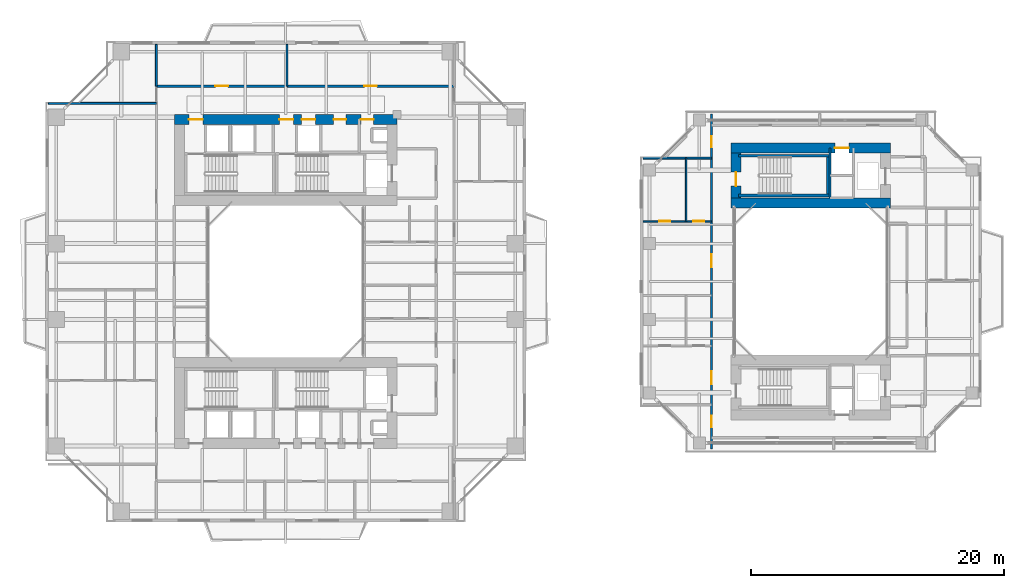
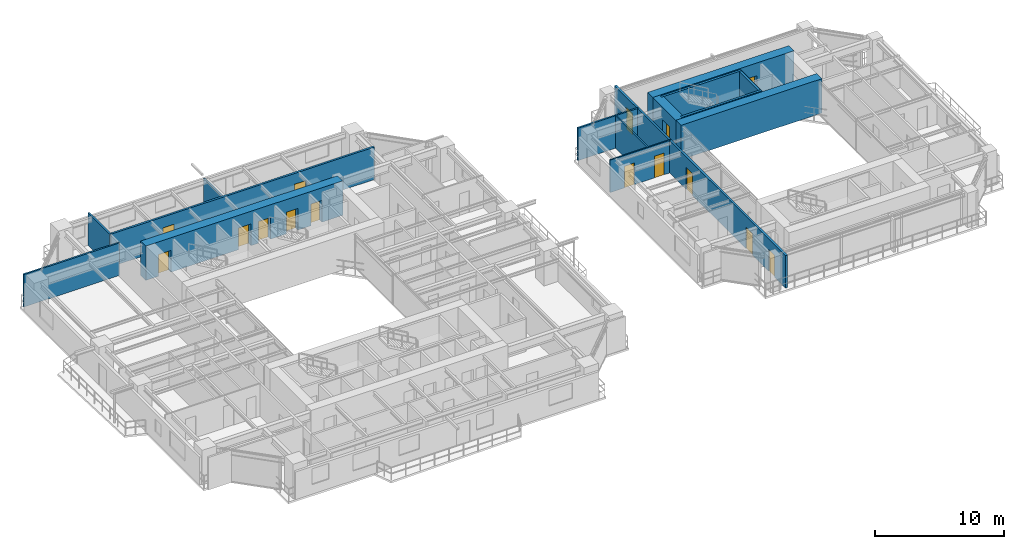
# One storey, part 16 of 23: 16 walls, 15 doors, 15 openings.
"""IFC4 building model written with IfcOpenShell, lengths in metres."""

import ifcopenshell
import ifcopenshell.guid

model = None  # the IFC model being written
_history = None  # IfcOwnerHistory: only IFC2X3 demands one
_inside = {}  # id of a spatial element -> (the spatial element, [elements in it])
_under = {}  # id of a project, library or spatial element -> (it, [spatial elements below it])
_declared = {}  # id of a project -> (the project, [libraries it declares])
_typed = {}  # id of a type object -> (the type object, [elements of that type])
_made_of = {}  # id of a material, layer set ... -> (it, [elements and type objects made of it])


def new_model(schema):
    """Start an empty IFC model of exactly this schema.

    Asked for "IFC4X3", IfcOpenShell would pick the latest addendum, in which some entities
    have other attributes; the version numbers below select the first issue.
    IFC2X3 requires an IfcOwnerHistory on every rooted entity: one is made here for all.
    """
    global model, _history
    if schema == "IFC4X3":
        model = ifcopenshell.file(schema_version=(4, 3, 0, 0))
    else:
        model = ifcopenshell.file(schema=schema)
    _inside.clear()
    _under.clear()
    _declared.clear()
    _typed.clear()
    _made_of.clear()
    _history = None
    if model.schema == "IFC2X3":
        org = make("IfcOrganization", Name="unknown")
        user = make(
            "IfcPersonAndOrganization",
            ThePerson=make("IfcPerson", FamilyName="unknown"),
            TheOrganization=org,
        )
        app = make(
            "IfcApplication",
            ApplicationDeveloper=org,
            Version="unknown",
            ApplicationFullName="unknown",
            ApplicationIdentifier="unknown",
        )
        _history = make(
            "IfcOwnerHistory",
            OwningUser=user,
            OwningApplication=app,
            ChangeAction="ADDED",
            CreationDate=0,
        )
    return model


def make(cls, **values):
    """One entity of the class cls with the attributes given. An attribute that is None is left unset."""
    return model.create_entity(
        cls, **{name: value for name, value in values.items() if value is not None}
    )


def rooted(cls, **values):
    """An entity with a GlobalId (a new one), such as an element, a storey or a relation."""
    return make(cls, GlobalId=ifcopenshell.guid.new(), OwnerHistory=_history, **values)


def si_unit(unit_type, name, prefix=None):
    """IfcSIUnit, for example si_unit("LENGTHUNIT", "METRE", prefix="MILLI")."""
    return make("IfcSIUnit", UnitType=unit_type, Prefix=prefix, Name=name)


def assignment(units):
    """IfcUnitAssignment: the units of a project."""
    return None if units is None else make("IfcUnitAssignment", Units=units)


def point(xyz):
    """IfcCartesianPoint."""
    return None if xyz is None else make("IfcCartesianPoint", Coordinates=xyz)


def direction(xyz):
    """IfcDirection."""
    return None if xyz is None else make("IfcDirection", DirectionRatios=xyz)


def frame(location, z_axis=None, x_axis=None):
    """IfcAxis2Placement3D, a coordinate frame: its origin and axes. An axis left out is left unset."""
    return make(
        "IfcAxis2Placement3D",
        Location=point(location),
        Axis=direction(z_axis),
        RefDirection=direction(x_axis),
    )


def frame_2d(location, x_axis=None):
    """IfcAxis2Placement2D, a coordinate frame in the plane: its origin and x axis."""
    return make(
        "IfcAxis2Placement2D", Location=point(location), RefDirection=direction(x_axis)
    )


def origin():
    """The frame at (0, 0, 0) with its axes left unset."""
    return frame((0.0, 0.0, 0.0))


def place(relative_to, where):
    """IfcLocalPlacement: puts the frame where relative to a parent placement (None: the world)."""
    return make(
        "IfcLocalPlacement", PlacementRelTo=relative_to, RelativePlacement=where
    )


def context(
    kind, dimensions, precision=None, world=None, true_north=None, identifier=None
):
    """IfcGeometricRepresentationContext, for example the 3D "Model" context."""
    return make(
        "IfcGeometricRepresentationContext",
        ContextIdentifier=identifier,
        ContextType=kind,
        CoordinateSpaceDimension=dimensions,
        Precision=precision,
        WorldCoordinateSystem=world,
        TrueNorth=true_north,
    )


def subcontext(parent, identifier, kind, view, scale=None):
    """IfcGeometricRepresentationSubContext, for example "Body" below "Model"."""
    return make(
        "IfcGeometricRepresentationSubContext",
        ContextIdentifier=identifier,
        ContextType=kind,
        ParentContext=parent,
        TargetScale=scale,
        TargetView=view,
    )


def project(units=None, contexts=None):
    """IfcProject with its units and contexts."""
    return rooted(
        "IfcProject",
        Name="project",
        RepresentationContexts=contexts,
        UnitsInContext=assignment(units),
    )


def spatial(cls, under=None, at=None, **own):
    """A site, building, storey or space (cls), placed at a placement, below another one or the project."""
    s = rooted(cls, ObjectPlacement=at, **own)
    if under is not None:
        _under.setdefault(under.id(), (under, []))[1].append(s)
    return s


def profile(cls, at=None, kind="AREA", **sizes):
    """A parametric profile (cls). Its sizes go by their IFC names, for example OverallWidth=200.0."""
    return make(cls, ProfileType=kind, Position=at, **sizes)


def rectangle(**sizes):
    """IfcRectangleProfileDef."""
    return profile("IfcRectangleProfileDef", **sizes)


def extrude(swept, where, along, depth):
    """IfcExtrudedAreaSolid: the profile swept, set in the frame where, extruded along a direction by depth."""
    return make(
        "IfcExtrudedAreaSolid",
        SweptArea=swept,
        Position=where,
        ExtrudedDirection=direction(along),
        Depth=depth,
    )


def shape(context_of_items, identifier, shape_type, items):
    """IfcShapeRepresentation: the items that make up one representation, for example the "Body"."""
    return make(
        "IfcShapeRepresentation",
        ContextOfItems=context_of_items,
        RepresentationIdentifier=identifier,
        RepresentationType=shape_type,
        Items=items,
    )


def source(mapping_origin, context_of_items, identifier, shape_type, items):
    """IfcRepresentationMap: a shape defined once, which mapped items show again and again."""
    return make(
        "IfcRepresentationMap",
        MappingOrigin=mapping_origin,
        MappedRepresentation=shape(context_of_items, identifier, shape_type, items),
    )


def transform(
    local_origin,
    x_axis=None,
    y_axis=None,
    z_axis=None,
    scale=None,
    scale2=None,
    scale3=None,
    uniform=True,
):
    """IfcCartesianTransformationOperator3D, or its non-uniform kind. x_axis, y_axis, z_axis: its Axis1, 2, 3."""
    if uniform:
        return make(
            "IfcCartesianTransformationOperator3D",
            Axis1=direction(x_axis),
            Axis2=direction(y_axis),
            LocalOrigin=point(local_origin),
            Scale=scale,
            Axis3=direction(z_axis),
        )
    return make(
        "IfcCartesianTransformationOperator3DnonUniform",
        Axis1=direction(x_axis),
        Axis2=direction(y_axis),
        LocalOrigin=point(local_origin),
        Scale=scale,
        Axis3=direction(z_axis),
        Scale2=scale2,
        Scale3=scale3,
    )


def mapped(mapping_source, mapping_target):
    """IfcMappedItem: shows the shape of a source again, moved by a transform."""
    return make(
        "IfcMappedItem", MappingSource=mapping_source, MappingTarget=mapping_target
    )


def material(Name=None, Category=None):
    """IfcMaterial."""
    return make("IfcMaterial", Name=Name, Category=Category)


def layer(
    of_material, thickness, ventilated=None, Name=None, Category=None, Priority=None
):
    """IfcMaterialLayer: one layer of a wall or slab, of a material (None: an air gap)."""
    return make(
        "IfcMaterialLayer",
        Material=of_material,
        LayerThickness=thickness,
        IsVentilated=ventilated,
        Name=Name,
        Category=Category,
        Priority=Priority,
    )


def layer_set(layers, Name=None):
    """IfcMaterialLayerSet."""
    return make("IfcMaterialLayerSet", MaterialLayers=layers, LayerSetName=Name)


def made_of(thing, what):
    """Note that an element or type object is made of a material, layer set ...; save() writes the relation."""
    if what is not None:
        _made_of.setdefault(what.id(), (what, []))[1].append(thing)
    return thing


def type_object(cls, material=None, **own):
    """A type object (cls), such as IfcWallType, which elements share."""
    return made_of(rooted(cls, **own), material)


def element(
    cls,
    number,
    at=None,
    inside=None,
    cuts=None,
    type_object=None,
    material=None,
    context=None,
    identifier="Body",
    shape_type=None,
    held_by="IfcProductDefinitionShape",
    body=None,
    shapes=None,
    **own,
):
    """One element of the class cls, such as IfcWall. Its Tag is "e" and its number.

    at: its placement. inside: the storey or other place that contains it. cuts: it is an
    opening in that element (IfcRelVoidsElement). A single representation is given by context,
    identifier, shape_type and body (its items); several are given by shapes. held_by: the class
    of the entity that holds the representations. save() writes the other relations.
    """
    e = rooted(cls, Tag="e%d" % number, ObjectPlacement=at, **own)
    if body is not None:
        shapes = [shape(context, identifier, shape_type, body)]
    if shapes is not None:
        e.Representation = make(held_by, Representations=shapes)
    if inside is not None:
        _inside.setdefault(inside.id(), (inside, []))[1].append(e)
    if cuts is not None:
        rooted(
            "IfcRelVoidsElement", RelatingBuildingElement=cuts, RelatedOpeningElement=e
        )
    if type_object is not None:
        _typed.setdefault(type_object.id(), (type_object, []))[1].append(e)
    return made_of(e, material)


def fill(opening, filler):
    """IfcRelFillsElement: the door or window that sits in an opening."""
    return rooted(
        "IfcRelFillsElement",
        RelatingOpeningElement=opening,
        RelatedBuildingElement=filler,
    )


def aggregate(whole, parts):
    """IfcRelAggregates: a whole, such as a stair, and the parts it consists of."""
    return rooted("IfcRelAggregates", RelatingObject=whole, RelatedObjects=parts)


def save(model, path):
    """Write the relations noted so far, then the file.

    IfcRelAggregates (storeys below a building ...), IfcRelContainedInSpatialStructure (elements
    in a storey), IfcRelDefinesByType, IfcRelAssociatesMaterial and IfcRelDeclares: one each for
    every whole, place, type object, material and project.
    """
    for whole, parts in _under.values():
        aggregate(whole, parts)
    for where, things in _inside.values():
        rooted(
            "IfcRelContainedInSpatialStructure",
            RelatedElements=things,
            RelatingStructure=where,
        )
    for kind, things in _typed.values():
        rooted("IfcRelDefinesByType", RelatedObjects=things, RelatingType=kind)
    for what, things in _made_of.values():
        rooted("IfcRelAssociatesMaterial", RelatedObjects=things, RelatingMaterial=what)
    for by, libraries in _declared.values():
        rooted("IfcRelDeclares", RelatingContext=by, RelatedDefinitions=libraries)
    model.write(path)


model = new_model("IFC4")

# Units and contexts
model_context = context("Model", 3, precision=1e-05, world=origin(), true_north=direction((0.0, 1.0)))
body_context = subcontext(model_context, "Body", "Model", "MODEL_VIEW")
ifc_project = project(units=[si_unit("LENGTHUNIT", "METRE"), si_unit("AREAUNIT", "SQUARE_METRE"), si_unit("VOLUMEUNIT", "CUBIC_METRE"), si_unit("PLANEANGLEUNIT", "RADIAN"), si_unit("MASSUNIT", "GRAM", prefix="KILO"), si_unit("THERMODYNAMICTEMPERATUREUNIT", "KELVIN"), si_unit("POWERUNIT", "WATT")], contexts=[model_context])

# Site, building, storey
site_placement = place(None, origin())
site = spatial("IfcSite", under=ifc_project, at=site_placement, CompositionType="ELEMENT")
building_placement = place(site_placement, origin())
building = spatial("IfcBuilding", under=site, at=building_placement, Name="Qiaomeng Ring Towers", CompositionType="ELEMENT")
storey_placement = place(building_placement, frame((0.0, 0.0, 26.25)))
storey = spatial("IfcBuildingStorey", under=building, at=storey_placement, Name="L06", CompositionType="ELEMENT", Elevation=26.25)

# Wall, openings, doors
ifc_material_1 = material(Name="Autoclaved aerated concrete block", Category="concrete")
ifc_layer_1 = layer(ifc_material_1, 0.179931640625, Name="Autoclaved aerated concrete block")
ifc_layer_set_1 = layer_set([ifc_layer_1], Name="Autoclaved aerated concrete block")
wall_type_1 = type_object("IfcWallType", Name="ARC-WL-PW2", PredefinedType="PARTITIONING", material=ifc_layer_set_1)
wall_1_placement = place(storey_placement, frame((8.780029296875, 38.43994140625, 0.0), z_axis=(0.0, 0.0, 1.0), x_axis=(1.0, 0.0, 0.0)))
wall_1 = element("IfcWall", 1, at=wall_1_placement, inside=storey, type_object=wall_type_1, Name="L06 Interior Wall PW2", PredefinedType="PARTITIONING", context=body_context, shape_type="SweptSolid", body=[
    extrude(rectangle(XDim=23.5400390625, YDim=0.179931640625, at=frame_2d((11.77001953125, 0.0))), origin(), (0.0, 0.0, 1.0), 3.070068359375),
])
opening_1_placement = place(wall_1_placement, frame((4.659912109375, 0.0, 0.0)))
opening_1 = element("IfcOpeningElement", 2, at=opening_1_placement, cuts=wall_1, Name="Opening FD4", PredefinedType="OPENING", context=body_context, shape_type="SweptSolid", body=[
    extrude(rectangle(XDim=1.0, YDim=2.050048828125, at=frame_2d((0.5, 1.02490234375))), frame((0.0, 0.099853515625, 0.0), z_axis=(0.0, -1.0, 0.0), x_axis=(1.0, 0.0, 0.0)), (0.0, 0.0, 1.0), 0.199951171875),
])
opening_2_placement = place(wall_1_placement, frame((16.429931640625, 0.0, 0.0)))
opening_2 = element("IfcOpeningElement", 3, at=opening_2_placement, cuts=wall_1, Name="Opening FD4", PredefinedType="OPENING", context=body_context, shape_type="SweptSolid", body=[
    extrude(rectangle(XDim=1.0, YDim=2.050048828125, at=frame_2d((0.5, 1.02490234375))), frame((0.0, 0.099853515625, 0.0), z_axis=(0.0, -1.0, 0.0), x_axis=(1.0, 0.0, 0.0)), (0.0, 0.0, 1.0), 0.199951171875),
])
ifc_material_2 = material(Name="Engineered fire-rated oak timber", Category="wood")
door_type_1 = type_object("IfcDoorType", Name="ARC-DR-FD4", OperationType="NOTDEFINED", PredefinedType="DOOR", material=ifc_material_2)
shared_shape_1 = source(origin(), body_context, "Body", "SweptSolid", [
    extrude(rectangle(XDim=1.0, YDim=2.050048828125, at=frame_2d((0.5, 1.02490234375))), frame((0.0, 0.02490234375, 0.0), z_axis=(0.0, -1.0, 0.0), x_axis=(1.0, 0.0, 0.0)), (0.0, 0.0, 1.0), 0.050048828125),
])
door_1_placement = place(opening_1_placement, origin())
door_1 = element("IfcDoor", 4, at=door_1_placement, inside=storey, type_object=door_type_1, Name="L06 Door FD4", OperationType="SINGLE_SWING_LEFT", OverallHeight=2.050048828125, OverallWidth=1.0, PredefinedType="DOOR", context=body_context, shape_type="MappedRepresentation", body=[
    mapped(shared_shape_1, transform((0.0, 0.0, 0.0), x_axis=(1.0, 0.0, 0.0), y_axis=(0.0, 1.0, 0.0), z_axis=(0.0, 0.0, 1.0), scale=1.0)),
])
fill(opening_1, door_1)
door_2_placement = place(opening_2_placement, origin())
door_2 = element("IfcDoor", 5, at=door_2_placement, inside=storey, type_object=door_type_1, Name="L06 Door FD4", OperationType="SINGLE_SWING_RIGHT", OverallHeight=2.050048828125, OverallWidth=1.0, PredefinedType="DOOR", context=body_context, shape_type="MappedRepresentation", body=[
    mapped(shared_shape_1, transform((0.0, 0.0, 0.0), x_axis=(1.0, 0.0, 0.0), y_axis=(0.0, 1.0, 0.0), z_axis=(0.0, 0.0, 1.0), scale=1.0)),
])
fill(opening_2, door_2)

wall_2_placement = place(storey_placement, frame((52.64990234375, 9.75, 0.0), z_axis=(0.0, 0.0, 1.0), x_axis=(0.0, 1.0, 0.0)))
wall_2 = element("IfcWall", 6, at=wall_2_placement, inside=storey, type_object=wall_type_1, Name="L06 Interior Wall PW2", PredefinedType="PARTITIONING", context=body_context, shape_type="SweptSolid", body=[
    extrude(rectangle(XDim=26.5, YDim=0.179931640625, at=frame_2d((13.25, 0.0))), origin(), (0.0, 0.0, 1.0), 3.070068359375),
])
opening_3_placement = place(wall_2_placement, frame((23.85009765625, 0.0, 0.0)))
opening_3 = element("IfcOpeningElement", 7, at=opening_3_placement, cuts=wall_2, Name="Opening ID1", PredefinedType="OPENING", context=body_context, shape_type="SweptSolid", body=[
    extrude(rectangle(XDim=0.89990234375, YDim=2.050048828125, at=frame_2d((0.449951171875, 1.02490234375))), frame((0.0, 0.099853515625, 0.0), z_axis=(0.0, -1.0, 0.0), x_axis=(1.0, 0.0, 0.0)), (0.0, 0.0, 1.0), 0.199951171875),
])
opening_4_placement = place(wall_2_placement, frame((1.75, 0.0, 0.0)))
opening_4 = element("IfcOpeningElement", 8, at=opening_4_placement, cuts=wall_2, Name="Opening ID1", PredefinedType="OPENING", context=body_context, shape_type="SweptSolid", body=[
    extrude(rectangle(XDim=0.89990234375, YDim=2.050048828125, at=frame_2d((0.449951171875, 1.02490234375))), frame((0.0, 0.099853515625, 0.0), z_axis=(0.0, -1.0, 0.0), x_axis=(1.0, 0.0, 0.0)), (0.0, 0.0, 1.0), 0.199951171875),
])
opening_5_placement = place(wall_2_placement, frame((5.14501953125, 0.0, 0.0)))
opening_5 = element("IfcOpeningElement", 9, at=opening_5_placement, cuts=wall_2, Name="Opening FD4", PredefinedType="OPENING", context=body_context, shape_type="SweptSolid", body=[
    extrude(rectangle(XDim=1.0, YDim=2.050048828125, at=frame_2d((0.5, 1.02490234375))), frame((0.0, 0.099853515625, 0.0), z_axis=(0.0, -1.0, 0.0), x_axis=(1.0, 0.0, 0.0)), (0.0, 0.0, 1.0), 0.199951171875),
])
opening_6_placement = place(wall_2_placement, frame((14.389892578125, 0.0, 0.0)))
opening_6 = element("IfcOpeningElement", 10, at=opening_6_placement, cuts=wall_2, Name="Opening FD4", PredefinedType="OPENING", context=body_context, shape_type="SweptSolid", body=[
    extrude(rectangle(XDim=1.0, YDim=2.050048828125, at=frame_2d((0.5, 1.02490234375))), frame((0.0, 0.099853515625, 0.0), z_axis=(0.0, -1.0, 0.0), x_axis=(1.0, 0.0, 0.0)), (0.0, 0.0, 1.0), 0.199951171875),
])
door_3_placement = place(opening_5_placement, origin())
door_3 = element("IfcDoor", 11, at=door_3_placement, inside=storey, type_object=door_type_1, Name="L06 Door FD4", OperationType="SINGLE_SWING_LEFT", OverallHeight=2.050048828125, OverallWidth=1.0, PredefinedType="DOOR", context=body_context, shape_type="MappedRepresentation", body=[
    mapped(shared_shape_1, transform((0.0, 0.0, 0.0), x_axis=(1.0, 0.0, 0.0), y_axis=(0.0, 1.0, 0.0), z_axis=(0.0, 0.0, 1.0), scale=1.0)),
])
fill(opening_5, door_3)
door_4_placement = place(opening_6_placement, origin())
door_4 = element("IfcDoor", 12, at=door_4_placement, inside=storey, type_object=door_type_1, Name="L06 Door FD4", OperationType="SINGLE_SWING_RIGHT", OverallHeight=2.050048828125, OverallWidth=1.0, PredefinedType="DOOR", context=body_context, shape_type="MappedRepresentation", body=[
    mapped(shared_shape_1, transform((0.0, 0.0, 0.0), x_axis=(1.0, 0.0, 0.0), y_axis=(0.0, 1.0, 0.0), z_axis=(0.0, 0.0, 1.0), scale=1.0)),
])
fill(opening_6, door_4)
ifc_material_3 = material(Name="Engineered oak timber", Category="wood")
door_type_2 = type_object("IfcDoorType", Name="ARC-DR-ID1", OperationType="NOTDEFINED", PredefinedType="DOOR", material=ifc_material_3)
shared_shape_2 = source(origin(), body_context, "Body", "SweptSolid", [
    extrude(rectangle(XDim=0.89990234375, YDim=2.050048828125, at=frame_2d((0.449951171875, 1.02490234375))), frame((0.0, 0.02490234375, 0.0), z_axis=(0.0, -1.0, 0.0), x_axis=(1.0, 0.0, 0.0)), (0.0, 0.0, 1.0), 0.050048828125),
])
door_5_placement = place(opening_3_placement, origin())
door_5 = element("IfcDoor", 13, at=door_5_placement, inside=storey, type_object=door_type_2, Name="L06 Door ID1", OperationType="SINGLE_SWING_LEFT", OverallHeight=2.050048828125, OverallWidth=0.89990234375, PredefinedType="DOOR", context=body_context, shape_type="MappedRepresentation", body=[
    mapped(shared_shape_2, transform((0.0, 0.0, 0.0), x_axis=(1.0, 0.0, 0.0), y_axis=(0.0, 1.0, 0.0), z_axis=(0.0, 0.0, 1.0), scale=1.0)),
])
fill(opening_3, door_5)
door_6_placement = place(opening_4_placement, origin())
door_6 = element("IfcDoor", 14, at=door_6_placement, inside=storey, type_object=door_type_2, Name="L06 Door ID1", OperationType="SINGLE_SWING_RIGHT", OverallHeight=2.050048828125, OverallWidth=0.89990234375, PredefinedType="DOOR", context=body_context, shape_type="MappedRepresentation", body=[
    mapped(shared_shape_2, transform((0.0, 0.0, 0.0), x_axis=(1.0, 0.0, 0.0), y_axis=(0.0, 1.0, 0.0), z_axis=(0.0, 0.0, 1.0), scale=1.0)),
])
fill(opening_4, door_6)

# Walls
ifc_material_4 = material(Name="Gypsum fireboard steel-stud partition", Category="steel")
ifc_layer_2 = layer(ifc_material_4, 0.14990234375, Name="Gypsum fireboard steel-stud partition")
ifc_layer_set_2 = layer_set([ifc_layer_2], Name="Gypsum fireboard steel-stud partition")
wall_type_2 = type_object("IfcWallType", Name="ARC-WL-PW3", PredefinedType="PARTITIONING", material=ifc_layer_set_2)
wall_3_placement = place(storey_placement, frame((19.10009765625, 38.43994140625, 0.0), z_axis=(0.0, 0.0, 1.0), x_axis=(0.0, 1.0, 0.0)))
element("IfcWall", 15, at=wall_3_placement, inside=storey, type_object=wall_type_2, Name="L06 Interior Wall PW3", PredefinedType="PARTITIONING", context=body_context, shape_type="SweptSolid", body=[
    extrude(rectangle(XDim=3.31005859375, YDim=0.14990234375, at=frame_2d((1.655029296875, 0.0))), origin(), (0.0, 0.0, 1.0), 2.715087890625),
])
wall_4_placement = place(storey_placement, frame((8.780029296875, 38.43994140625, 0.0), z_axis=(0.0, 0.0, 1.0), x_axis=(0.0, 1.0, 0.0)))
element("IfcWall", 16, at=wall_4_placement, inside=storey, type_object=wall_type_2, Name="L06 Interior Wall PW3", PredefinedType="PARTITIONING", context=body_context, shape_type="SweptSolid", body=[
    extrude(rectangle(XDim=3.31005859375, YDim=0.14990234375, at=frame_2d((1.655029296875, 0.0))), origin(), (0.0, 0.0, 1.0), 3.070068359375),
])
wall_5_placement = place(storey_placement, frame((0.25, 37.080078125, 0.0), z_axis=(0.0, 0.0, 1.0), x_axis=(1.0, 0.0, 0.0)))
element("IfcWall", 17, at=wall_5_placement, inside=storey, type_object=wall_type_2, Name="L06 Interior Wall PW3", PredefinedType="PARTITIONING", context=body_context, shape_type="SweptSolid", body=[
    extrude(rectangle(XDim=8.530029296875, YDim=0.14990234375, at=frame_2d((4.26513671875, 0.0))), origin(), (0.0, 0.0, 1.0), 3.070068359375),
])
wall_6_placement = place(storey_placement, frame((47.25, 32.75, 0.0), z_axis=(0.0, 0.0, 1.0), x_axis=(1.0, 0.0, 0.0)))
element("IfcWall", 18, at=wall_6_placement, inside=storey, type_object=wall_type_2, Name="L06 Interior Wall PW3", PredefinedType="PARTITIONING", context=body_context, shape_type="SweptSolid", body=[
    extrude(rectangle(XDim=5.39990234375, YDim=0.14990234375, at=frame_2d((2.699951171875, 0.0))), origin(), (0.0, 0.0, 1.0), 3.070068359375),
])

# Wall, openings, doors
ifc_material_5 = material(Name="Moisture-resistant gypsum steel-stud partition", Category="steel")
ifc_layer_3 = layer(ifc_material_5, 0.1201171875, Name="Moisture-resistant gypsum steel-stud partition")
ifc_layer_set_3 = layer_set([ifc_layer_3], Name="Moisture-resistant gypsum steel-stud partition")
wall_type_3 = type_object("IfcWallType", Name="ARC-WL-PW4", PredefinedType="PLUMBINGWALL", material=ifc_layer_set_3)
wall_7_placement = place(storey_placement, frame((47.25, 27.760009765625, 0.0), z_axis=(0.0, 0.0, 1.0), x_axis=(1.0, 0.0, 0.0)))
wall_7 = element("IfcWall", 19, at=wall_7_placement, inside=storey, type_object=wall_type_3, Name="L06 Interior Wall PW4", PredefinedType="PLUMBINGWALL", context=body_context, shape_type="SweptSolid", body=[
    extrude(rectangle(XDim=5.39990234375, YDim=0.1201171875, at=frame_2d((2.699951171875, 0.0))), origin(), (0.0, 0.0, 1.0), 3.070068359375),
])
opening_7_placement = place(wall_7_placement, frame((1.260009765625, 0.0, 0.0)))
opening_7 = element("IfcOpeningElement", 20, at=opening_7_placement, cuts=wall_7, Name="Opening ID1", PredefinedType="OPENING", context=body_context, shape_type="SweptSolid", body=[
    extrude(rectangle(XDim=0.89990234375, YDim=2.050048828125, at=frame_2d((0.449951171875, 1.02490234375))), frame((0.0, 0.070068359375, 0.0), z_axis=(0.0, -1.0, 0.0), x_axis=(1.0, 0.0, 0.0)), (0.0, 0.0, 1.0), 0.14013671875),
])
opening_8_placement = place(wall_7_placement, frame((3.965087890625, 0.0, 0.0)))
opening_8 = element("IfcOpeningElement", 21, at=opening_8_placement, cuts=wall_7, Name="Opening ID2", PredefinedType="OPENING", context=body_context, shape_type="SweptSolid", body=[
    extrude(rectangle(XDim=0.85009765625, YDim=2.050048828125, at=frame_2d((0.425048828125, 1.02490234375))), frame((0.0, 0.070068359375, 0.0), z_axis=(0.0, -1.0, 0.0), x_axis=(1.0, 0.0, 0.0)), (0.0, 0.0, 1.0), 0.14013671875),
])
ifc_material_6 = material(Name="Moisture-resistant engineered timber", Category="wood")
door_type_3 = type_object("IfcDoorType", Name="ARC-DR-ID2", OperationType="NOTDEFINED", PredefinedType="DOOR", material=ifc_material_6)
shared_shape_3 = source(origin(), body_context, "Body", "SweptSolid", [
    extrude(rectangle(XDim=0.85009765625, YDim=2.050048828125, at=frame_2d((0.425048828125, 1.02490234375))), frame((0.0, 0.02490234375, 0.0), z_axis=(0.0, -1.0, 0.0), x_axis=(1.0, 0.0, 0.0)), (0.0, 0.0, 1.0), 0.050048828125),
])
door_7_placement = place(opening_8_placement, origin())
door_7 = element("IfcDoor", 22, at=door_7_placement, inside=storey, type_object=door_type_3, Name="L06 Door ID2", OperationType="SINGLE_SWING_RIGHT", OverallHeight=2.050048828125, OverallWidth=0.85009765625, PredefinedType="DOOR", context=body_context, shape_type="MappedRepresentation", body=[
    mapped(shared_shape_3, transform((0.0, 0.0, 0.0), x_axis=(1.0, 0.0, 0.0), y_axis=(0.0, 1.0, 0.0), z_axis=(0.0, 0.0, 1.0), scale=1.0)),
])
fill(opening_8, door_7)
door_8_placement = place(opening_7_placement, origin())
door_8 = element("IfcDoor", 23, at=door_8_placement, inside=storey, type_object=door_type_2, Name="L06 Door ID1", OperationType="SINGLE_SWING_LEFT", OverallHeight=2.050048828125, OverallWidth=0.89990234375, PredefinedType="DOOR", context=body_context, shape_type="MappedRepresentation", body=[
    mapped(shared_shape_2, transform((0.0, 0.0, 0.0), x_axis=(1.0, 0.0, 0.0), y_axis=(0.0, 1.0, 0.0), z_axis=(0.0, 0.0, 1.0), scale=1.0)),
])
fill(opening_7, door_8)

# Walls
wall_8_placement = place(storey_placement, frame((50.64990234375, 27.760009765625, 0.0), z_axis=(0.0, 0.0, 1.0), x_axis=(0.0, 1.0, 0.0)))
element("IfcWall", 24, at=wall_8_placement, inside=storey, type_object=wall_type_3, Name="L06 Interior Wall PW4", PredefinedType="PLUMBINGWALL", context=body_context, shape_type="SweptSolid", body=[
    extrude(rectangle(XDim=4.989990234375, YDim=0.1201171875, at=frame_2d((2.4951171875, 0.0))), origin(), (0.0, 0.0, 1.0), 3.070068359375),
])
ifc_material_7 = material(Name="Concrete C40", Category="concrete")
ifc_layer_4 = layer(ifc_material_7, 0.199951171875, Name="Concrete C40")
ifc_layer_set_4 = layer_set([ifc_layer_4], Name="Concrete C40")
wall_type_4 = type_object("IfcWallType", Name="STR-WL-STSHAFT", PredefinedType="SHEAR", material=ifc_layer_set_4)
wall_9_placement = place(storey_placement, frame((62.02001953125, 29.60009765625, 0.0), z_axis=(0.0, 0.0, 1.0), x_axis=(0.0, 1.0, 0.0)))
element("IfcWall", 25, at=wall_9_placement, inside=storey, type_object=wall_type_4, Name="L06 Companion Lift Shaft West Wall N", PredefinedType="SHEAR", context=body_context, shape_type="SweptSolid", body=[
    extrude(rectangle(XDim=3.949951171875, YDim=0.179931640625, at=frame_2d((1.97509765625, 0.0))), origin(), (0.0, 0.0, 1.0), 3.070068359375),
])
for number, where, z_axis, x_axis, name in (
    (26, (54.800048828125, 29.800048828125, 0.0), (0.0, 0.0, 1.0), (1.0, 0.0, 0.0), "L06 Stair ST5 South Shaft Shear Wall"),
    (27, (54.800048828125, 32.93994140625, 0.0), (0.0, 0.0, 1.0), (1.0, 0.0, 0.0), "L06 Stair ST5 North Shaft Shear Wall"),
):
    element("IfcWall", number, at=place(storey_placement, frame(where, z_axis=z_axis, x_axis=x_axis)), inside=storey, type_object=wall_type_4, Name=name, PredefinedType="SHEAR", context=body_context, shape_type="SweptSolid", body=[
        extrude(rectangle(XDim=7.14990234375, YDim=0.199951171875, at=frame_2d((3.574951171875, 0.0))), origin(), (0.0, 0.0, 1.0), 3.25),
    ])
wall_10_placement = place(storey_placement, frame((61.85009765625, 29.89990234375, 0.0), z_axis=(0.0, 0.0, 1.0), x_axis=(0.0, 1.0, 0.0)))
element("IfcWall", 28, at=wall_10_placement, inside=storey, type_object=wall_type_4, Name="L06 Stair ST5 East Shaft Shear Wall", PredefinedType="SHEAR", context=body_context, shape_type="SweptSolid", body=[
    extrude(rectangle(XDim=2.940185546875, YDim=0.199951171875, at=frame_2d((1.47021484375, 0.0))), origin(), (0.0, 0.0, 1.0), 3.25),
])

# Wall, openings, doors
ifc_material_8 = material(Name="Concrete C60", Category="concrete")
ifc_layer_5 = layer(ifc_material_8, 0.800048828125, Name="Concrete C60")
ifc_layer_set_5 = layer_set([ifc_layer_5], Name="Concrete C60")
wall_type_5 = type_object("IfcWallType", Name="STR-WL-SW1", PredefinedType="SHEAR", material=ifc_layer_set_5)
wall_11_placement = place(storey_placement, frame((10.199951171875, 35.800048828125, 0.0), z_axis=(0.0, 0.0, 1.0), x_axis=(1.0, 0.0, 0.0)))
wall_11 = element("IfcWall", 29, at=wall_11_placement, inside=storey, type_object=wall_type_5, Name="L06 T1NC north core shear wall", PredefinedType="SHEAR", context=body_context, shape_type="SweptSolid", body=[
    extrude(rectangle(XDim=17.60009765625, YDim=0.800048828125, at=frame_2d((8.800048828125, 0.0))), origin(), (0.0, 0.0, 1.0), 3.25),
])
opening_9_placement = place(wall_11_placement, frame((1.14990234375, 0.0, 0.0)))
opening_9 = element("IfcOpeningElement", 30, at=opening_9_placement, cuts=wall_11, Name="Opening FD3", PredefinedType="OPENING", context=body_context, shape_type="SweptSolid", body=[
    extrude(rectangle(XDim=1.10009765625, YDim=2.050048828125, at=frame_2d((0.550048828125, 1.02490234375))), frame((0.0, 0.409912109375, 0.0), z_axis=(0.0, -1.0, 0.0), x_axis=(1.0, 0.0, 0.0)), (0.0, 0.0, 1.0), 0.820068359375),
])
opening_10_placement = place(wall_11_placement, frame((8.300048828125, 0.0, 0.0)))
opening_10 = element("IfcOpeningElement", 31, at=opening_10_placement, cuts=wall_11, Name="Opening FD3", PredefinedType="OPENING", context=body_context, shape_type="SweptSolid", body=[
    extrude(rectangle(XDim=1.10009765625, YDim=2.050048828125, at=frame_2d((0.550048828125, 1.02490234375))), frame((0.0, 0.409912109375, 0.0), z_axis=(0.0, -1.0, 0.0), x_axis=(1.0, 0.0, 0.0)), (0.0, 0.0, 1.0), 0.820068359375),
])
opening_11_placement = place(wall_11_placement, frame((10.050048828125, 0.0, 0.0)))
opening_11 = element("IfcOpeningElement", 32, at=opening_11_placement, cuts=wall_11, Name="Opening LD1", PredefinedType="OPENING", context=body_context, shape_type="SweptSolid", body=[
    extrude(rectangle(XDim=1.10009765625, YDim=2.050048828125, at=frame_2d((0.550048828125, 1.02490234375))), frame((0.0, 0.409912109375, 0.0), z_axis=(0.0, -1.0, 0.0), x_axis=(1.0, 0.0, 0.0)), (0.0, 0.0, 1.0), 0.820068359375),
])
opening_12_placement = place(wall_11_placement, frame((14.739990234375, 0.0, 0.0)))
opening_12 = element("IfcOpeningElement", 33, at=opening_12_placement, cuts=wall_11, Name="Opening FD1", PredefinedType="OPENING", context=body_context, shape_type="SweptSolid", body=[
    extrude(rectangle(XDim=1.0, YDim=2.050048828125, at=frame_2d((0.5, 1.02490234375))), frame((0.0, 0.409912109375, 0.0), z_axis=(0.0, -1.0, 0.0), x_axis=(1.0, 0.0, 0.0)), (0.0, 0.0, 1.0), 0.820068359375),
])
opening_13_placement = place(wall_11_placement, frame((12.5849609375, 0.0, 0.0)))
opening_13 = element("IfcOpeningElement", 34, at=opening_13_placement, cuts=wall_11, Name="Opening FD1", PredefinedType="OPENING", context=body_context, shape_type="SweptSolid", body=[
    extrude(rectangle(XDim=1.0, YDim=2.050048828125, at=frame_2d((0.5, 1.02490234375))), frame((0.0, 0.409912109375, 0.0), z_axis=(0.0, -1.0, 0.0), x_axis=(1.0, 0.0, 0.0)), (0.0, 0.0, 1.0), 0.820068359375),
])
ifc_material_9 = material(Name="Galvanised steel", Category="steel")
door_type_4 = type_object("IfcDoorType", Name="ARC-DR-FD3", OperationType="NOTDEFINED", PredefinedType="DOOR", material=ifc_material_9)
shared_shape_4 = source(origin(), body_context, "Body", "SweptSolid", [
    extrude(rectangle(XDim=1.10009765625, YDim=2.050048828125, at=frame_2d((0.550048828125, 1.02490234375))), frame((0.0, 0.02490234375, 0.0), z_axis=(0.0, -1.0, 0.0), x_axis=(1.0, 0.0, 0.0)), (0.0, 0.0, 1.0), 0.050048828125),
])
door_9_placement = place(opening_9_placement, origin())
door_9 = element("IfcDoor", 35, at=door_9_placement, inside=storey, type_object=door_type_4, Name="L06 Stair ST1 Lobby Door", OperationType="SINGLE_SWING_RIGHT", OverallHeight=2.050048828125, OverallWidth=1.10009765625, PredefinedType="DOOR", context=body_context, shape_type="MappedRepresentation", body=[
    mapped(shared_shape_4, transform((0.0, 0.0, 0.0), x_axis=(1.0, 0.0, 0.0), y_axis=(0.0, 1.0, 0.0), z_axis=(0.0, 0.0, 1.0), scale=1.0)),
])
fill(opening_9, door_9)
door_10_placement = place(opening_10_placement, origin())
door_10 = element("IfcDoor", 36, at=door_10_placement, inside=storey, type_object=door_type_4, Name="L06 Stair ST2 Lobby Door", OperationType="SINGLE_SWING_RIGHT", OverallHeight=2.050048828125, OverallWidth=1.10009765625, PredefinedType="DOOR", context=body_context, shape_type="MappedRepresentation", body=[
    mapped(shared_shape_4, transform((0.0, 0.0, 0.0), x_axis=(1.0, 0.0, 0.0), y_axis=(0.0, 1.0, 0.0), z_axis=(0.0, 0.0, 1.0), scale=1.0)),
])
fill(opening_10, door_10)
ifc_material_10 = material(Name="Stainless steel 316", Category="steel")
door_type_5 = type_object("IfcDoorType", Name="ARC-DR-LD1", OperationType="NOTDEFINED", PredefinedType="DOOR", material=ifc_material_10)
door_11_placement = place(opening_11_placement, origin())
door_11 = element("IfcDoor", 37, at=door_11_placement, inside=storey, type_object=door_type_5, Name="L06 Low-Zone Lift LP1 Landing Door", OperationType="SLIDING_TO_LEFT", OverallHeight=2.050048828125, OverallWidth=1.10009765625, PredefinedType="DOOR", context=body_context, shape_type="MappedRepresentation", body=[
    mapped(shared_shape_4, transform((0.0, 0.0, 0.0), x_axis=(1.0, 0.0, 0.0), y_axis=(0.0, 1.0, 0.0), z_axis=(0.0, 0.0, 1.0), scale=1.0)),
])
fill(opening_11, door_11)
door_type_6 = type_object("IfcDoorType", Name="ARC-DR-FD1", OperationType="NOTDEFINED", PredefinedType="DOOR", material=ifc_material_9)
door_12_placement = place(opening_12_placement, origin())
door_12 = element("IfcDoor", 38, at=door_12_placement, inside=storey, type_object=door_type_6, Name="L06 North Electrical Riser Door", OperationType="SINGLE_SWING_RIGHT", OverallHeight=2.050048828125, OverallWidth=1.0, PredefinedType="DOOR", context=body_context, shape_type="MappedRepresentation", body=[
    mapped(shared_shape_1, transform((0.0, 0.0, 0.0), x_axis=(1.0, 0.0, 0.0), y_axis=(0.0, 1.0, 0.0), z_axis=(0.0, 0.0, 1.0), scale=1.0)),
])
fill(opening_12, door_12)
door_13_placement = place(opening_13_placement, origin())
door_13 = element("IfcDoor", 39, at=door_13_placement, inside=storey, type_object=door_type_6, Name="L06 North Cleaners Store Door", OperationType="SINGLE_SWING_RIGHT", OverallHeight=2.050048828125, OverallWidth=1.0, PredefinedType="DOOR", context=body_context, shape_type="MappedRepresentation", body=[
    mapped(shared_shape_1, transform((0.0, 0.0, 0.0), x_axis=(1.0, 0.0, 0.0), y_axis=(0.0, 1.0, 0.0), z_axis=(0.0, 0.0, 1.0), scale=1.0)),
])
fill(opening_13, door_13)

# Wall
wall_12_placement = place(storey_placement, frame((54.199951171875, 29.199951171875, 0.0), z_axis=(0.0, 0.0, 1.0), x_axis=(1.0, 0.0, 0.0)))
element("IfcWall", 40, at=wall_12_placement, inside=storey, type_object=wall_type_5, Name="L06 T2NC south core shear wall", PredefinedType="SHEAR", context=body_context, shape_type="SweptSolid", body=[
    extrude(rectangle(XDim=12.60009765625, YDim=0.800048828125, at=frame_2d((6.300048828125, 0.0))), origin(), (0.0, 0.0, 1.0), 3.25),
])

# Wall, opening, door
wall_13_placement = place(storey_placement, frame((54.199951171875, 33.550048828125, 0.0), z_axis=(0.0, 0.0, 1.0), x_axis=(1.0, 0.0, 0.0)))
wall_13 = element("IfcWall", 41, at=wall_13_placement, inside=storey, type_object=wall_type_5, Name="L06 T2NC north core shear wall", PredefinedType="SHEAR", context=body_context, shape_type="SweptSolid", body=[
    extrude(rectangle(XDim=12.60009765625, YDim=0.800048828125, at=frame_2d((6.300048828125, 0.0))), origin(), (0.0, 0.0, 1.0), 3.25),
])
opening_14_placement = place(wall_13_placement, frame((8.199951171875, 0.0, 0.0)))
opening_14 = element("IfcOpeningElement", 42, at=opening_14_placement, cuts=wall_13, Name="Opening LD1", PredefinedType="OPENING", context=body_context, shape_type="SweptSolid", body=[
    extrude(rectangle(XDim=1.10009765625, YDim=2.050048828125, at=frame_2d((0.550048828125, 1.02490234375))), frame((0.0, 0.409912109375, 0.0), z_axis=(0.0, -1.0, 0.0), x_axis=(1.0, 0.0, 0.0)), (0.0, 0.0, 1.0), 0.820068359375),
])
door_14_placement = place(opening_14_placement, origin())
door_14 = element("IfcDoor", 43, at=door_14_placement, inside=storey, type_object=door_type_5, Name="L06 Companion Lift LP7 Landing Door", OperationType="SLIDING_TO_LEFT", OverallHeight=2.050048828125, OverallWidth=1.10009765625, PredefinedType="DOOR", context=body_context, shape_type="MappedRepresentation", body=[
    mapped(shared_shape_4, transform((0.0, 0.0, 0.0), x_axis=(1.0, 0.0, 0.0), y_axis=(0.0, 1.0, 0.0), z_axis=(0.0, 0.0, 1.0), scale=1.0)),
])
fill(opening_14, door_14)

wall_14_placement = place(storey_placement, frame((54.60009765625, 29.60009765625, 0.0), z_axis=(0.0, 0.0, 1.0), x_axis=(0.0, 1.0, 0.0)))
wall_14 = element("IfcWall", 44, at=wall_14_placement, inside=storey, type_object=wall_type_5, Name="L06 T2NC west core shear wall", PredefinedType="SHEAR", context=body_context, shape_type="SweptSolid", body=[
    extrude(rectangle(XDim=3.5498046875, YDim=0.800048828125, at=frame_2d((1.77490234375, 0.0))), origin(), (0.0, 0.0, 1.0), 3.25),
])
opening_15_placement = place(wall_14_placement, frame((0.949951171875, 0.0, 0.0)))
opening_15 = element("IfcOpeningElement", 45, at=opening_15_placement, cuts=wall_14, Name="Opening FD3", PredefinedType="OPENING", context=body_context, shape_type="SweptSolid", body=[
    extrude(rectangle(XDim=1.10009765625, YDim=2.050048828125, at=frame_2d((0.550048828125, 1.02490234375))), frame((0.0, 0.409912109375, 0.0), z_axis=(0.0, -1.0, 0.0), x_axis=(1.0, 0.0, 0.0)), (0.0, 0.0, 1.0), 0.820068359375),
])
door_15_placement = place(opening_15_placement, origin())
door_15 = element("IfcDoor", 46, at=door_15_placement, inside=storey, type_object=door_type_4, Name="L06 Stair ST5 Exit Door", OperationType="SINGLE_SWING_RIGHT", OverallHeight=2.050048828125, OverallWidth=1.10009765625, PredefinedType="DOOR", context=body_context, shape_type="MappedRepresentation", body=[
    mapped(shared_shape_4, transform((0.0, 0.0, 0.0), x_axis=(1.0, 0.0, 0.0), y_axis=(0.0, 1.0, 0.0), z_axis=(0.0, 0.0, 1.0), scale=1.0)),
])
fill(opening_15, door_15)

save(model, "model.ifc")
